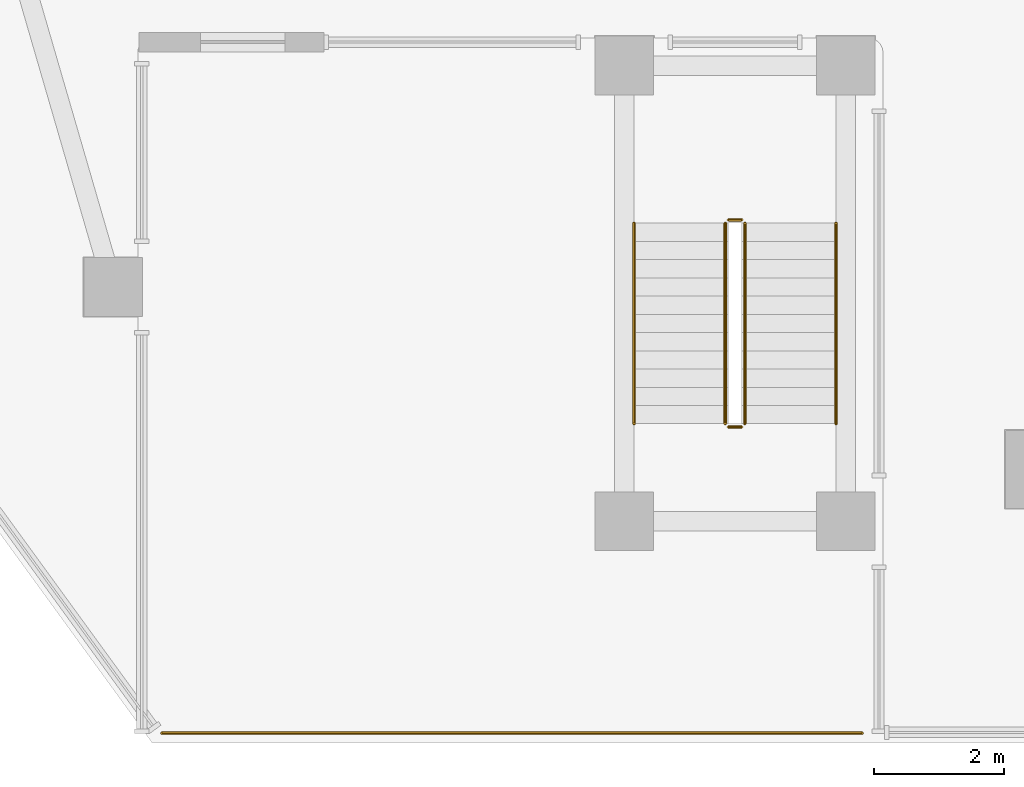
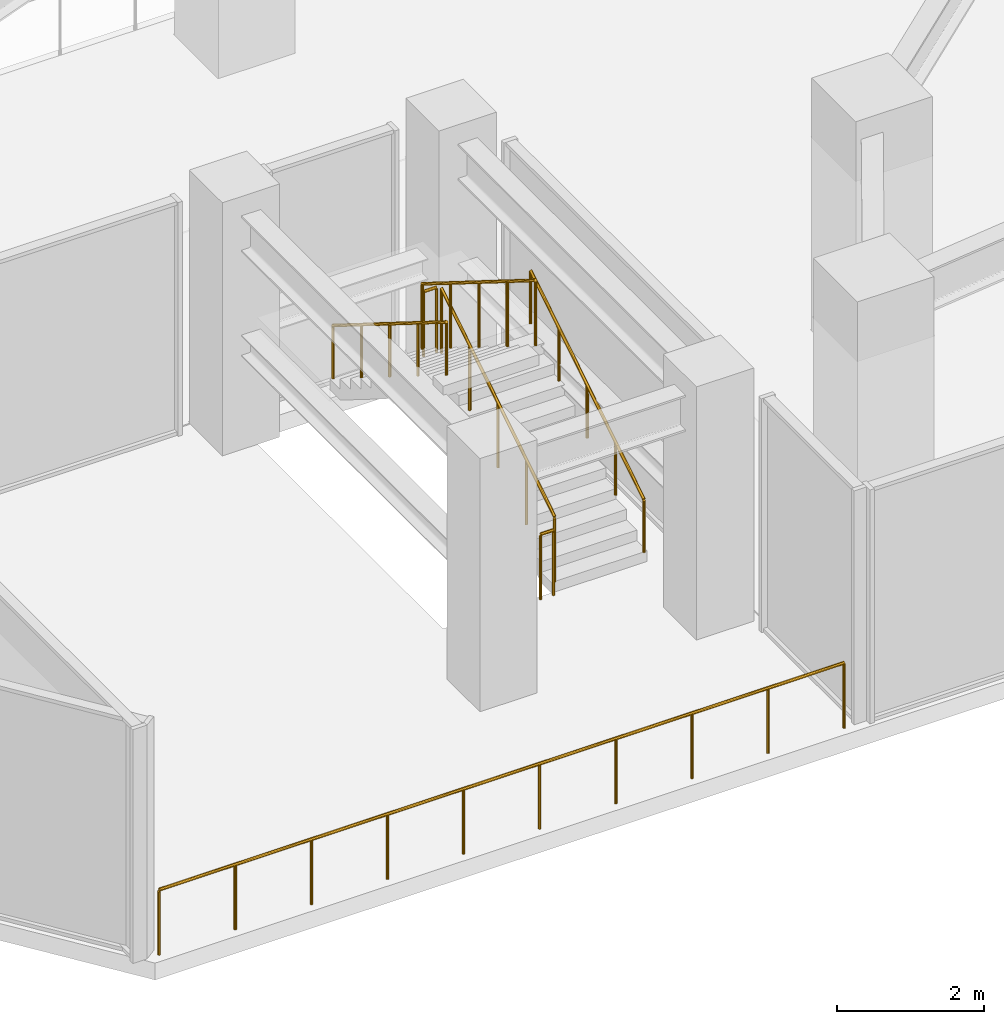
# One storey, part 14 of 22: 7 railings.
"""IFC4 building model written with IfcOpenShell, lengths in metres."""

from ifc_helpers import new_model, si_unit, direction, frame, origin, origin_2d, place, context, subcontext, project, spatial, circle, extrude, material, type_object, element, save


model = new_model("IFC4")

# Units and contexts
model_context = context("Model", 3, precision=1e-05, world=origin(), true_north=direction((0.0, 1.0)))
body_context = subcontext(model_context, "Body", "Model", "MODEL_VIEW")
ifc_project = project(units=[si_unit("LENGTHUNIT", "METRE"), si_unit("AREAUNIT", "SQUARE_METRE"), si_unit("VOLUMEUNIT", "CUBIC_METRE"), si_unit("PLANEANGLEUNIT", "RADIAN"), si_unit("MASSUNIT", "GRAM", prefix="KILO")], contexts=[model_context])

# Site, building, storey
site_placement = place(None, origin())
site = spatial("IfcSite", under=ifc_project, at=site_placement, CompositionType="ELEMENT")
building_placement = place(site_placement, origin())
building = spatial("IfcBuilding", under=site, at=building_placement, Name="Savorim Split Tower", CompositionType="ELEMENT")
storey_placement = place(building_placement, frame((0.0, 0.0, 17.60009765625)))
storey = spatial("IfcBuildingStorey", under=building, at=storey_placement, Name="L04", CompositionType="ELEMENT", Elevation=17.60009765625)

# Railings
ifc_material = material(Name="Galvanised Painted Steel Balustrade", Category="steel")
railing_type_1 = type_object("IfcRailingType", Name="RLG-BAL-1100", PredefinedType="BALUSTRADE", material=ifc_material)
railing_1_placement = place(storey_placement, frame((-36.050048828125, -28.050048828125, 0.0)))
element("IfcRailing", 1, at=railing_1_placement, inside=storey, type_object=railing_type_1, Name="L04 Open-Air Stepped Garden Stair Terrace Balustrade", PredefinedType="BALUSTRADE", context=body_context, shape_type="SweptSolid", body=[
    extrude(circle(Radius=0.02392578125, at=origin_2d()), frame((0.0, 0.0, 1.076171875), z_axis=(1.0, 0.0, 0.0), x_axis=(0.0, 1.0, 0.0)), (0.0, 0.0, 1.0), 10.75),
    extrude(circle(Radius=0.02099609375, at=origin_2d()), origin(), (0.0, 0.0, 1.0), 1.052001953125),
    extrude(circle(Radius=0.02099609375, at=origin_2d()), frame((1.1943359375, 0.0, 0.0)), (0.0, 0.0, 1.0), 1.052001953125),
    extrude(circle(Radius=0.02099609375, at=origin_2d()), frame((2.388916015625, 0.0, 0.0)), (0.0, 0.0, 1.0), 1.052001953125),
    extrude(circle(Radius=0.02099609375, at=origin_2d()), frame((3.583251953125, 0.0, 0.0)), (0.0, 0.0, 1.0), 1.052001953125),
    extrude(circle(Radius=0.02099609375, at=origin_2d()), frame((4.77783203125, 0.0, 0.0)), (0.0, 0.0, 1.0), 1.052001953125),
    extrude(circle(Radius=0.02099609375, at=origin_2d()), frame((5.97216796875, 0.0, 0.0)), (0.0, 0.0, 1.0), 1.052001953125),
    extrude(circle(Radius=0.02099609375, at=origin_2d()), frame((7.166748046875, 0.0, 0.0)), (0.0, 0.0, 1.0), 1.052001953125),
    extrude(circle(Radius=0.02099609375, at=origin_2d()), frame((8.361083984375, 0.0, 0.0)), (0.0, 0.0, 1.0), 1.052001953125),
    extrude(circle(Radius=0.02099609375, at=origin_2d()), frame((9.5556640625, 0.0, 0.0)), (0.0, 0.0, 1.0), 1.052001953125),
    extrude(circle(Radius=0.02099609375, at=origin_2d()), frame((10.75, 0.0, 0.0)), (0.0, 0.0, 1.0), 1.052001953125),
])
railing_type_2 = type_object("IfcRailingType", Name="RLG-HR-900", PredefinedType="HANDRAIL", material=ifc_material)
railing_2_placement = place(storey_placement, frame((-25.699951171875, -23.300048828125, 0.1748046875)))
element("IfcRailing", 2, at=railing_2_placement, inside=storey, type_object=railing_type_2, Name="L04 ST-GDN stair handrail 1", PredefinedType="HANDRAIL", context=body_context, shape_type="SweptSolid", body=[
    extrude(circle(Radius=0.02392578125, at=origin_2d()), frame((0.0, 0.0, 0.8759765625), z_axis=(0.0, 0.847998304005, 0.529998940003), x_axis=(-1.0, 0.0, 0.0)), (0.0, 0.0, 1.0), 3.632080078125),
    extrude(circle(Radius=0.02099609375, at=origin_2d()), origin(), (0.0, 0.0, 1.0), 0.851806640625),
    extrude(circle(Radius=0.02099609375, at=origin_2d()), frame((0.0, 0.77001953125, 0.481201171875)), (0.0, 0.0, 1.0), 0.851806640625),
    extrude(circle(Radius=0.02099609375, at=origin_2d()), frame((0.0, 1.5400390625, 0.96240234375)), (0.0, 0.0, 1.0), 0.851806640625),
    extrude(circle(Radius=0.02099609375, at=origin_2d()), frame((0.0, 2.31005859375, 1.44384765625)), (0.0, 0.0, 1.0), 0.851806640625),
    extrude(circle(Radius=0.02099609375, at=origin_2d()), frame((0.0, 3.080078125, 1.925048828125)), (0.0, 0.0, 1.0), 0.851806640625),
])
railing_3_placement = place(storey_placement, frame((-28.800048828125, -20.219970703125, 2.27490234375)))
element("IfcRailing", 3, at=railing_3_placement, inside=storey, type_object=railing_type_2, Name="L04 ST-GDN stair handrail 2", PredefinedType="HANDRAIL", context=body_context, shape_type="SweptSolid", body=[
    extrude(circle(Radius=0.02392578125, at=origin_2d()), frame((0.0, 0.0, 0.8759765625), z_axis=(0.0, -0.847998304005, 0.529998940003), x_axis=(1.0, 0.0, 0.0)), (0.0, 0.0, 1.0), 3.632080078125),
    extrude(circle(Radius=0.02099609375, at=origin_2d()), origin(), (0.0, 0.0, 1.0), 0.851806640625),
    extrude(circle(Radius=0.02099609375, at=origin_2d()), frame((0.0, -0.77001953125, 0.481201171875)), (0.0, 0.0, 1.0), 0.851806640625),
    extrude(circle(Radius=0.02099609375, at=origin_2d()), frame((0.0, -1.5400390625, 0.96240234375)), (0.0, 0.0, 1.0), 0.851806640625),
    extrude(circle(Radius=0.02099609375, at=origin_2d()), frame((0.0, -2.31005859375, 1.44384765625)), (0.0, 0.0, 1.0), 0.851806640625),
    extrude(circle(Radius=0.02099609375, at=origin_2d()), frame((0.0, -3.080078125, 1.925048828125)), (0.0, 0.0, 1.0), 0.851806640625),
])
railing_type_3 = type_object("IfcRailingType", Name="RLG-STG-1100", PredefinedType="BALUSTRADE", material=ifc_material)
railing_4_placement = place(storey_placement, frame((-27.10009765625, -23.300048828125, 0.1748046875)))
element("IfcRailing", 4, at=railing_4_placement, inside=storey, type_object=railing_type_3, Name="L04 ST-GDN stair guard 1", PredefinedType="BALUSTRADE", context=body_context, shape_type="SweptSolid", body=[
    extrude(circle(Radius=0.02392578125, at=origin_2d()), frame((0.0, 0.0, 1.076171875), z_axis=(0.0, 0.847998304005, 0.529998940003), x_axis=(-1.0, 0.0, 0.0)), (0.0, 0.0, 1.0), 3.632080078125),
    extrude(circle(Radius=0.02099609375, at=origin_2d()), origin(), (0.0, 0.0, 1.0), 1.052001953125),
    extrude(circle(Radius=0.02099609375, at=origin_2d()), frame((0.0, 0.77001953125, 0.481201171875)), (0.0, 0.0, 1.0), 1.052001953125),
    extrude(circle(Radius=0.02099609375, at=origin_2d()), frame((0.0, 1.5400390625, 0.96240234375)), (0.0, 0.0, 1.0), 1.052001953125),
    extrude(circle(Radius=0.02099609375, at=origin_2d()), frame((0.0, 2.31005859375, 1.44384765625)), (0.0, 0.0, 1.0), 1.052001953125),
    extrude(circle(Radius=0.02099609375, at=origin_2d()), frame((0.0, 3.080078125, 1.925048828125)), (0.0, 0.0, 1.0), 1.052001953125),
])
railing_5_placement = place(storey_placement, frame((-27.14990234375, -20.169921875, 2.099853515625)))
element("IfcRailing", 5, at=railing_5_placement, inside=storey, type_object=railing_type_3, Name="L04 ST-GDN stair guard 2", PredefinedType="BALUSTRADE", context=body_context, shape_type="SweptSolid", body=[
    extrude(circle(Radius=0.02392578125, at=origin_2d()), frame((0.0, 0.0, 1.076171875), z_axis=(-1.0, 0.0, 0.0), x_axis=(0.0, -1.0, 0.0)), (0.0, 0.0, 1.0), 0.2001953125),
    extrude(circle(Radius=0.02099609375, at=origin_2d()), origin(), (0.0, 0.0, 1.0), 1.052001953125),
    extrude(circle(Radius=0.02099609375, at=origin_2d()), frame((-0.2001953125, 0.0, 0.0)), (0.0, 0.0, 1.0), 1.052001953125),
])
railing_6_placement = place(storey_placement, frame((-27.39990234375, -20.219970703125, 2.27490234375)))
element("IfcRailing", 6, at=railing_6_placement, inside=storey, type_object=railing_type_3, Name="L04 ST-GDN stair guard 3", PredefinedType="BALUSTRADE", context=body_context, shape_type="SweptSolid", body=[
    extrude(circle(Radius=0.02392578125, at=origin_2d()), frame((0.0, 0.0, 1.076171875), z_axis=(0.0, -0.847998304005, 0.529998940003), x_axis=(1.0, 0.0, 0.0)), (0.0, 0.0, 1.0), 3.632080078125),
    extrude(circle(Radius=0.02099609375, at=origin_2d()), origin(), (0.0, 0.0, 1.0), 1.052001953125),
    extrude(circle(Radius=0.02099609375, at=origin_2d()), frame((0.0, -0.77001953125, 0.481201171875)), (0.0, 0.0, 1.0), 1.052001953125),
    extrude(circle(Radius=0.02099609375, at=origin_2d()), frame((0.0, -1.5400390625, 0.96240234375)), (0.0, 0.0, 1.0), 1.052001953125),
    extrude(circle(Radius=0.02099609375, at=origin_2d()), frame((0.0, -2.31005859375, 1.44384765625)), (0.0, 0.0, 1.0), 1.052001953125),
    extrude(circle(Radius=0.02099609375, at=origin_2d()), frame((0.0, -3.080078125, 1.925048828125)), (0.0, 0.0, 1.0), 1.052001953125),
])
railing_7_placement = place(storey_placement, frame((-27.14990234375, -23.35009765625, 0.0)))
element("IfcRailing", 7, at=railing_7_placement, inside=storey, type_object=railing_type_3, Name="L04 ST-GDN stair guard 4", PredefinedType="BALUSTRADE", context=body_context, shape_type="SweptSolid", body=[
    extrude(circle(Radius=0.02392578125, at=origin_2d()), frame((0.0, 0.0, 1.076171875), z_axis=(-1.0, 0.0, 0.0), x_axis=(0.0, -1.0, 0.0)), (0.0, 0.0, 1.0), 0.2001953125),
    extrude(circle(Radius=0.02099609375, at=origin_2d()), origin(), (0.0, 0.0, 1.0), 1.052001953125),
    extrude(circle(Radius=0.02099609375, at=origin_2d()), frame((-0.2001953125, 0.0, 0.0)), (0.0, 0.0, 1.0), 1.052001953125),
])

save(model, "model.ifc")
